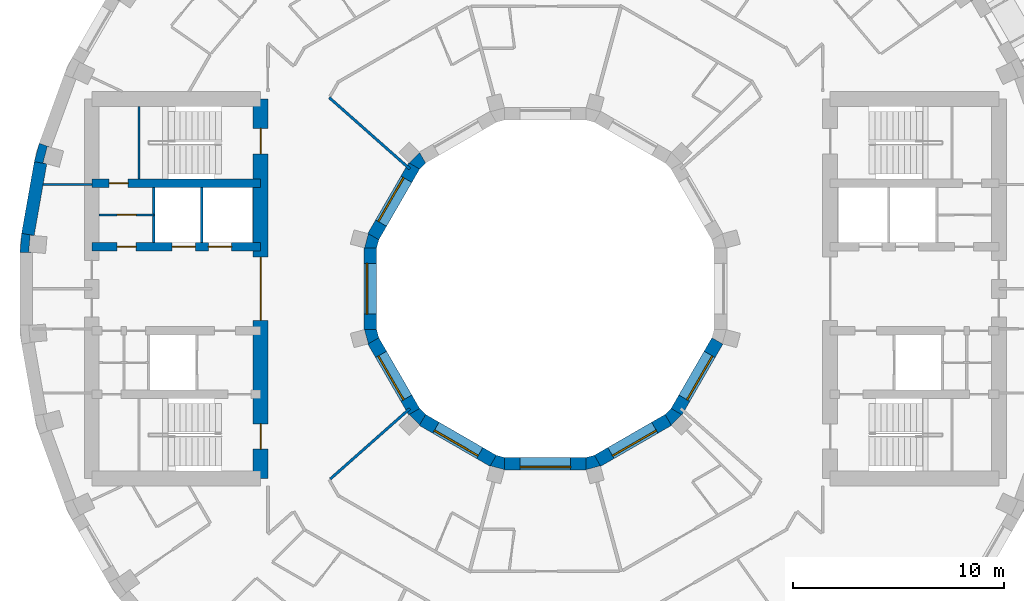
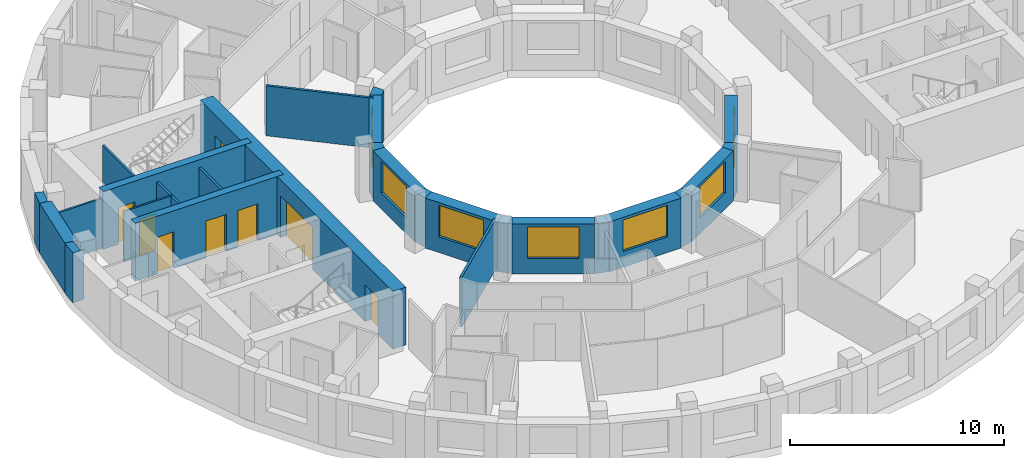
# One storey, part 4 of 11: 27 walls, 8 doors, 7 windows, 15 openings.
"""IFC4 building model written with IfcOpenShell, lengths in metres."""

from ifc_helpers import new_model, si_unit, direction, frame, frame_2d, origin, place, context, subcontext, project, spatial, polyline, rectangle, outline, extrude, material, layer, layer_set, type_object, element, fill, save


model = new_model("IFC4")

# Units and contexts
model_context = context("Model", 3, precision=1e-05, world=origin(), true_north=direction((0.0, 1.0)))
body_context = subcontext(model_context, "Body", "Model", "MODEL_VIEW")
ifc_project = project(units=[si_unit("LENGTHUNIT", "METRE"), si_unit("AREAUNIT", "SQUARE_METRE"), si_unit("VOLUMEUNIT", "CUBIC_METRE"), si_unit("PLANEANGLEUNIT", "RADIAN"), si_unit("MASSUNIT", "GRAM", prefix="KILO")], contexts=[model_context])

# Site, building, storey
site_placement = place(None, origin())
site = spatial("IfcSite", under=ifc_project, at=site_placement, CompositionType="ELEMENT")
building_placement = place(site_placement, origin())
building = spatial("IfcBuilding", under=site, at=building_placement, Name="Saqina Gate Tower", CompositionType="ELEMENT")
storey_placement = place(building_placement, frame((0.0, 0.0, 183.89990234375)))
storey = spatial("IfcBuildingStorey", under=building, at=storey_placement, Name="L52", CompositionType="ELEMENT", Elevation=183.89990234375)

# Walls
ifc_material_1 = material(Name="Brick masonry (buff)", Category="masonry")
wall_type_1 = type_object("IfcWallType", Name="BRICK PIER COPING BUFF", PredefinedType="SOLIDWALL", material=ifc_material_1)
wall_1_placement = place(storey_placement, origin())
element("IfcWall", 1, at=wall_1_placement, inside=storey, type_object=wall_type_1, Name="Pier cap L52 column 17", PredefinedType="SOLIDWALL", context=body_context, shape_type="SweptSolid", body=[
    extrude(outline(polyline([(-24.22705078125, 6.0234375), (-23.635986328125, 5.919189453125), (-23.81689453125, 5.967529296875), (-23.610107421875, 6.740478515625), (-23.428955078125, 6.69189453125), (-23.992919921875, 6.897216796875), (-24.22705078125, 6.0234375)])), origin(), (0.0, 0.0, 1.0), 2.85009765625),
])
wall_2_placement = place(storey_placement, origin())
element("IfcWall", 2, at=wall_2_placement, inside=storey, type_object=wall_type_1, Name="Pier cap L52 column 18", PredefinedType="SOLIDWALL", context=body_context, shape_type="SweptSolid", body=[
    extrude(outline(polyline([(-24.825927734375, 2.6259765625), (-24.90478515625, 1.724853515625), (-24.304931640625, 1.724853515625), (-24.491455078125, 1.7412109375), (-24.421630859375, 2.5380859375), (-24.235107421875, 2.521728515625), (-24.825927734375, 2.6259765625)])), origin(), (0.0, 0.0, 1.0), 2.85009765625),
])
ifc_material_2 = material(Name="Gypsum board on steel studs", Category="steel")
ifc_layer_1 = layer(ifc_material_2, 0.10009765625)
ifc_layer_set_1 = layer_set([ifc_layer_1], Name="CORE PARTITION")
wall_type_2 = type_object("IfcWallType", Name="CORE PARTITION", PredefinedType="PARTITIONING", material=ifc_layer_set_1)
wall_3_placement = place(storey_placement, frame((-21.5, 4.949951171875, 0.0), z_axis=(0.0, 0.0, 1.0), x_axis=(-1.0, 0.0, 0.0)))
element("IfcWall", 3, at=wall_3_placement, inside=storey, type_object=wall_type_2, Name="L52-CP-W01", PredefinedType="PARTITIONING", context=body_context, shape_type="SweptSolid", body=[
    extrude(rectangle(XDim=2.306884765625, YDim=0.10009765625, at=frame_2d((1.1533203125, 0.0))), origin(), (0.0, 0.0, 1.0), 2.85009765625),
])

# Wall, opening, door
wall_4_placement = place(storey_placement, frame((-18.56005859375, 3.5, 0.0), z_axis=(0.0, 0.0, 1.0), x_axis=(-1.0, 0.0, 0.0)))
wall_4 = element("IfcWall", 4, at=wall_4_placement, inside=storey, type_object=wall_type_2, Name="L52-CP-W10", PredefinedType="PARTITIONING", context=body_context, shape_type="SweptSolid", body=[
    extrude(rectangle(XDim=2.58984375, YDim=0.10009765625, at=frame_2d((1.294921875, 0.0))), origin(), (0.0, 0.0, 1.0), 2.85009765625),
])
opening_1_placement = place(wall_4_placement, frame((0.844970703125, 0.0, 0.0)))
opening_1 = element("IfcOpeningElement", 5, at=opening_1_placement, cuts=wall_4, Name="Opening G15-D113", PredefinedType="OPENING", context=body_context, shape_type="SweptSolid", body=[
    extrude(rectangle(XDim=0.89990234375, YDim=2.10009765625, at=frame_2d((0.449951171875, 1.050048828125))), frame((0.0, 0.06201171875, 0.0), z_axis=(0.0, -1.0, 0.0), x_axis=(1.0, 0.0, 0.0)), (0.0, 0.0, 1.0), 0.1240234375),
])
ifc_material_3 = material(Name="Steel-framed fire door leaf, EI 60", Category="steel")
door_type_1 = type_object("IfcDoorType", Name="SERVICE ROOM DOOR 900", OperationType="SINGLE_SWING_LEFT", PredefinedType="DOOR", material=ifc_material_3)
door_1_placement = place(opening_1_placement, frame((0.89990234375, 0.0, 0.0), z_axis=(0.0, 0.0, 1.0), x_axis=(-1.0, 0.0, 0.0)))
door_1 = element("IfcDoor", 6, at=door_1_placement, inside=storey, type_object=door_type_1, Name="L52-CD-W24", OperationType="SINGLE_SWING_LEFT", OverallHeight=2.10009765625, OverallWidth=0.89990234375, PredefinedType="DOOR", context=body_context, shape_type="SweptSolid", body=[
    extrude(rectangle(XDim=0.89990234375, YDim=2.10009765625, at=frame_2d((0.449951171875, 1.050048828125))), frame((0.0, 0.02490234375, 0.0), z_axis=(0.0, -1.0, 0.0), x_axis=(1.0, 0.0, 0.0)), (0.0, 0.0, 1.0), 0.050048828125),
])
fill(opening_1, door_1)

# Wall
ifc_material_4 = material(Name="Glazed ceramic tile", Category="ceramic")
ifc_layer_2 = layer(ifc_material_4, 0.60009765625)
ifc_layer_set_2 = layer_set([ifc_layer_2], Name="FW-TILE")
wall_type_3 = type_object("IfcWallType", Name="FW-TILE", PredefinedType="SOLIDWALL", material=ifc_layer_set_2)
wall_5_placement = place(storey_placement, frame((-23.931640625, 5.97119140625, 0.0), z_axis=(0.0, 0.0, 1.0), x_axis=(-0.173607684551, -0.984814892183, 0.0)))
element("IfcWall", 7, at=wall_5_placement, inside=storey, type_object=wall_type_3, Name="Facade wall L52 facet 17", PredefinedType="SOLIDWALL", context=body_context, shape_type="SweptSolid", body=[
    extrude(rectangle(XDim=3.44970703125, YDim=0.60009765625, at=frame_2d((1.724853515625, 0.0))), origin(), (0.0, 0.0, 1.0), 2.85009765625),
])

# Wall, opening, window
ifc_material_5 = material(Name="Glazed ceramic tile", Category="ceramic")
ifc_layer_3 = layer(ifc_material_5, 0.60009765625)
ifc_layer_set_3 = layer_set([ifc_layer_3], Name="IW-TILE")
wall_type_4 = type_object("IfcWallType", Name="IW-TILE", PredefinedType="SOLIDWALL", material=ifc_layer_set_3)
wall_6_placement = place(storey_placement, frame((-6.220458984375, 5.82568359375, 0.0), z_axis=(0.0, 0.0, 1.0), x_axis=(-0.500033728941, -0.866005929495, 0.0)))
wall_6 = element("IfcWall", 8, at=wall_6_placement, inside=storey, type_object=wall_type_4, Name="Well wall L52 facet 5", PredefinedType="SOLIDWALL", context=body_context, shape_type="SweptSolid", body=[
    extrude(rectangle(XDim=3.869873046875, YDim=0.60009765625, at=frame_2d((1.93505859375, 0.0))), origin(), (0.0, 0.0, 1.0), 2.85009765625),
])
opening_2_placement = place(wall_6_placement, frame((0.73486328125, 0.0, 0.89990234375)))
opening_2 = element("IfcOpeningElement", 9, at=opening_2_placement, cuts=wall_6, Name="Opening G15-W30", PredefinedType="OPENING", context=body_context, shape_type="SweptSolid", body=[
    extrude(rectangle(XDim=2.39990234375, YDim=1.800048828125, at=frame_2d((1.199951171875, 0.89990234375))), frame((0.0, 0.31201171875, 0.0), z_axis=(0.0, -1.0, 0.0), x_axis=(1.0, 0.0, 0.0)), (0.0, 0.0, 1.0), 0.6240234375),
])
ifc_material_6 = material(Name="Aluminium glazing", Category="aluminium")
window_type = type_object("IfcWindowType", Name="WN-W", PartitioningType="SINGLE_PANEL", PredefinedType="WINDOW", material=ifc_material_6)
window_1_placement = place(opening_2_placement, origin())
window_1 = element("IfcWindow", 10, at=window_1_placement, inside=storey, type_object=window_type, Name="Well window L52 facet 5", OverallHeight=1.800048828125, OverallWidth=2.39990234375, PartitioningType="SINGLE_PANEL", PredefinedType="WINDOW", context=body_context, shape_type="SweptSolid", body=[
    extrude(rectangle(XDim=2.39990234375, YDim=1.800048828125, at=frame_2d((1.199951171875, 0.89990234375))), frame((0.0, -0.119873046875, 0.0), z_axis=(0.0, -1.0, 0.0), x_axis=(1.0, 0.0, 0.0)), (0.0, 0.0, 1.0), 0.06005859375),
])
fill(opening_2, window_1)

wall_7_placement = place(storey_placement, frame((-8.300048828125, 1.934814453125, 0.0), z_axis=(0.0, 0.0, 1.0), x_axis=(0.0, -1.0, 0.0)))
wall_7 = element("IfcWall", 11, at=wall_7_placement, inside=storey, type_object=wall_type_4, Name="Well wall L52 facet 6", PredefinedType="SOLIDWALL", context=body_context, shape_type="SweptSolid", body=[
    extrude(rectangle(XDim=3.86962890625, YDim=0.60009765625, at=frame_2d((1.934814453125, 0.0))), origin(), (0.0, 0.0, 1.0), 2.85009765625),
])
opening_3_placement = place(wall_7_placement, frame((0.73486328125, 0.0, 0.89990234375)))
opening_3 = element("IfcOpeningElement", 12, at=opening_3_placement, cuts=wall_7, Name="Opening G15-W31", PredefinedType="OPENING", context=body_context, shape_type="SweptSolid", body=[
    extrude(rectangle(XDim=2.39990234375, YDim=1.800048828125, at=frame_2d((1.199951171875, 0.89990234375))), frame((0.0, 0.31201171875, 0.0), z_axis=(0.0, -1.0, 0.0), x_axis=(1.0, 0.0, 0.0)), (0.0, 0.0, 1.0), 0.6240234375),
])
window_2_placement = place(opening_3_placement, origin())
window_2 = element("IfcWindow", 13, at=window_2_placement, inside=storey, type_object=window_type, Name="Well window L52 facet 6", OverallHeight=1.800048828125, OverallWidth=2.39990234375, PartitioningType="SINGLE_PANEL", PredefinedType="WINDOW", context=body_context, shape_type="SweptSolid", body=[
    extrude(rectangle(XDim=2.39990234375, YDim=1.800048828125, at=frame_2d((1.199951171875, 0.89990234375))), frame((0.0, -0.119873046875, 0.0), z_axis=(0.0, -1.0, 0.0), x_axis=(1.0, 0.0, 0.0)), (0.0, 0.0, 1.0), 0.06005859375),
])
fill(opening_3, window_2)

wall_8_placement = place(storey_placement, frame((-8.155517578125, -2.474365234375, 0.0), z_axis=(0.0, 0.0, 1.0), x_axis=(0.500033728941, -0.866005929495, 0.0)))
wall_8 = element("IfcWall", 14, at=wall_8_placement, inside=storey, type_object=wall_type_4, Name="Well wall L52 facet 7", PredefinedType="SOLIDWALL", context=body_context, shape_type="SweptSolid", body=[
    extrude(rectangle(XDim=3.869873046875, YDim=0.60009765625, at=frame_2d((1.93505859375, 0.0))), origin(), (0.0, 0.0, 1.0), 2.85009765625),
])
opening_4_placement = place(wall_8_placement, frame((0.73486328125, 0.0, 0.89990234375)))
opening_4 = element("IfcOpeningElement", 15, at=opening_4_placement, cuts=wall_8, Name="Opening G15-W32", PredefinedType="OPENING", context=body_context, shape_type="SweptSolid", body=[
    extrude(rectangle(XDim=2.39990234375, YDim=1.800048828125, at=frame_2d((1.199951171875, 0.89990234375))), frame((0.0, 0.31201171875, 0.0), z_axis=(0.0, -1.0, 0.0), x_axis=(1.0, 0.0, 0.0)), (0.0, 0.0, 1.0), 0.6240234375),
])
window_3_placement = place(opening_4_placement, origin())
window_3 = element("IfcWindow", 16, at=window_3_placement, inside=storey, type_object=window_type, Name="Well window L52 facet 7", OverallHeight=1.800048828125, OverallWidth=2.39990234375, PartitioningType="SINGLE_PANEL", PredefinedType="WINDOW", context=body_context, shape_type="SweptSolid", body=[
    extrude(rectangle(XDim=2.39990234375, YDim=1.800048828125, at=frame_2d((1.199951171875, 0.89990234375))), frame((0.0, -0.119873046875, 0.0), z_axis=(0.0, -1.0, 0.0), x_axis=(1.0, 0.0, 0.0)), (0.0, 0.0, 1.0), 0.06005859375),
])
fill(opening_4, window_3)

wall_9_placement = place(storey_placement, frame((-5.82568359375, -6.220458984375, 0.0), z_axis=(0.0, 0.0, 1.0), x_axis=(0.866005929495, -0.500033728941, 0.0)))
wall_9 = element("IfcWall", 17, at=wall_9_placement, inside=storey, type_object=wall_type_4, Name="Well wall L52 facet 8", PredefinedType="SOLIDWALL", context=body_context, shape_type="SweptSolid", body=[
    extrude(rectangle(XDim=3.869873046875, YDim=0.60009765625, at=frame_2d((1.93505859375, 0.0))), origin(), (0.0, 0.0, 1.0), 2.85009765625),
])
opening_5_placement = place(wall_9_placement, frame((0.73486328125, 0.0, 0.89990234375)))
opening_5 = element("IfcOpeningElement", 18, at=opening_5_placement, cuts=wall_9, Name="Opening G15-W33", PredefinedType="OPENING", context=body_context, shape_type="SweptSolid", body=[
    extrude(rectangle(XDim=2.39990234375, YDim=1.800048828125, at=frame_2d((1.199951171875, 0.89990234375))), frame((0.0, 0.31201171875, 0.0), z_axis=(0.0, -1.0, 0.0), x_axis=(1.0, 0.0, 0.0)), (0.0, 0.0, 1.0), 0.6240234375),
])
window_4_placement = place(opening_5_placement, origin())
window_4 = element("IfcWindow", 19, at=window_4_placement, inside=storey, type_object=window_type, Name="Well window L52 facet 8", OverallHeight=1.800048828125, OverallWidth=2.39990234375, PartitioningType="SINGLE_PANEL", PredefinedType="WINDOW", context=body_context, shape_type="SweptSolid", body=[
    extrude(rectangle(XDim=2.39990234375, YDim=1.800048828125, at=frame_2d((1.199951171875, 0.89990234375))), frame((0.0, -0.119873046875, 0.0), z_axis=(0.0, -1.0, 0.0), x_axis=(1.0, 0.0, 0.0)), (0.0, 0.0, 1.0), 0.06005859375),
])
fill(opening_5, window_4)

wall_10_placement = place(storey_placement, frame((-1.934814453125, -8.300048828125, 0.0), z_axis=(0.0, 0.0, 1.0), x_axis=(1.0, 0.0, 0.0)))
wall_10 = element("IfcWall", 20, at=wall_10_placement, inside=storey, type_object=wall_type_4, Name="Well wall L52 facet 9", PredefinedType="SOLIDWALL", context=body_context, shape_type="SweptSolid", body=[
    extrude(rectangle(XDim=3.86962890625, YDim=0.60009765625, at=frame_2d((1.934814453125, 0.0))), origin(), (0.0, 0.0, 1.0), 2.85009765625),
])
opening_6_placement = place(wall_10_placement, frame((0.73486328125, 0.0, 0.89990234375)))
opening_6 = element("IfcOpeningElement", 21, at=opening_6_placement, cuts=wall_10, Name="Opening G15-W34", PredefinedType="OPENING", context=body_context, shape_type="SweptSolid", body=[
    extrude(rectangle(XDim=2.39990234375, YDim=1.800048828125, at=frame_2d((1.199951171875, 0.89990234375))), frame((0.0, 0.31201171875, 0.0), z_axis=(0.0, -1.0, 0.0), x_axis=(1.0, 0.0, 0.0)), (0.0, 0.0, 1.0), 0.6240234375),
])
window_5_placement = place(opening_6_placement, origin())
window_5 = element("IfcWindow", 22, at=window_5_placement, inside=storey, type_object=window_type, Name="Well window L52 facet 9", OverallHeight=1.800048828125, OverallWidth=2.39990234375, PartitioningType="SINGLE_PANEL", PredefinedType="WINDOW", context=body_context, shape_type="SweptSolid", body=[
    extrude(rectangle(XDim=2.39990234375, YDim=1.800048828125, at=frame_2d((1.199951171875, 0.89990234375))), frame((0.0, -0.119873046875, 0.0), z_axis=(0.0, -1.0, 0.0), x_axis=(1.0, 0.0, 0.0)), (0.0, 0.0, 1.0), 0.06005859375),
])
fill(opening_6, window_5)

wall_11_placement = place(storey_placement, frame((2.474365234375, -8.155517578125, 0.0), z_axis=(0.0, 0.0, 1.0), x_axis=(0.866005929495, 0.500033728941, 0.0)))
wall_11 = element("IfcWall", 23, at=wall_11_placement, inside=storey, type_object=wall_type_4, Name="Well wall L52 facet 10", PredefinedType="SOLIDWALL", context=body_context, shape_type="SweptSolid", body=[
    extrude(rectangle(XDim=3.869873046875, YDim=0.60009765625, at=frame_2d((1.93505859375, 0.0))), origin(), (0.0, 0.0, 1.0), 2.85009765625),
])
opening_7_placement = place(wall_11_placement, frame((0.73486328125, 0.0, 0.89990234375)))
opening_7 = element("IfcOpeningElement", 24, at=opening_7_placement, cuts=wall_11, Name="Opening G15-W35", PredefinedType="OPENING", context=body_context, shape_type="SweptSolid", body=[
    extrude(rectangle(XDim=2.39990234375, YDim=1.800048828125, at=frame_2d((1.199951171875, 0.89990234375))), frame((0.0, 0.31201171875, 0.0), z_axis=(0.0, -1.0, 0.0), x_axis=(1.0, 0.0, 0.0)), (0.0, 0.0, 1.0), 0.6240234375),
])
window_6_placement = place(opening_7_placement, origin())
window_6 = element("IfcWindow", 25, at=window_6_placement, inside=storey, type_object=window_type, Name="Well window L52 facet 10", OverallHeight=1.800048828125, OverallWidth=2.39990234375, PartitioningType="SINGLE_PANEL", PredefinedType="WINDOW", context=body_context, shape_type="SweptSolid", body=[
    extrude(rectangle(XDim=2.39990234375, YDim=1.800048828125, at=frame_2d((1.199951171875, 0.89990234375))), frame((0.0, -0.119873046875, 0.0), z_axis=(0.0, -1.0, 0.0), x_axis=(1.0, 0.0, 0.0)), (0.0, 0.0, 1.0), 0.06005859375),
])
fill(opening_7, window_6)

wall_12_placement = place(storey_placement, frame((6.220458984375, -5.82568359375, 0.0), z_axis=(0.0, 0.0, 1.0), x_axis=(0.500033728941, 0.866005929495, 0.0)))
wall_12 = element("IfcWall", 26, at=wall_12_placement, inside=storey, type_object=wall_type_4, Name="Well wall L52 facet 11", PredefinedType="SOLIDWALL", context=body_context, shape_type="SweptSolid", body=[
    extrude(rectangle(XDim=3.869873046875, YDim=0.60009765625, at=frame_2d((1.93505859375, 0.0))), origin(), (0.0, 0.0, 1.0), 2.85009765625),
])
opening_8_placement = place(wall_12_placement, frame((0.73486328125, 0.0, 0.89990234375)))
opening_8 = element("IfcOpeningElement", 27, at=opening_8_placement, cuts=wall_12, Name="Opening G15-W36", PredefinedType="OPENING", context=body_context, shape_type="SweptSolid", body=[
    extrude(rectangle(XDim=2.39990234375, YDim=1.800048828125, at=frame_2d((1.199951171875, 0.89990234375))), frame((0.0, 0.31201171875, 0.0), z_axis=(0.0, -1.0, 0.0), x_axis=(1.0, 0.0, 0.0)), (0.0, 0.0, 1.0), 0.6240234375),
])
window_7_placement = place(opening_8_placement, origin())
window_7 = element("IfcWindow", 28, at=window_7_placement, inside=storey, type_object=window_type, Name="Well window L52 facet 11", OverallHeight=1.800048828125, OverallWidth=2.39990234375, PartitioningType="SINGLE_PANEL", PredefinedType="WINDOW", context=body_context, shape_type="SweptSolid", body=[
    extrude(rectangle(XDim=2.39990234375, YDim=1.800048828125, at=frame_2d((1.199951171875, 0.89990234375))), frame((0.0, -0.119873046875, 0.0), z_axis=(0.0, -1.0, 0.0), x_axis=(1.0, 0.0, 0.0)), (0.0, 0.0, 1.0), 0.06005859375),
])
fill(opening_8, window_7)

# Walls
ifc_material_7 = material(Name="Gypsum board on steel studs, 125 mm, fire rated", Category="steel")
ifc_layer_4 = layer(ifc_material_7, 0.125)
ifc_layer_set_4 = layer_set([ifc_layer_4], Name="PARTITION EI 30 125")
wall_type_5 = type_object("IfcWallType", Name="PARTITION EI 30 125", PredefinedType="PARTITIONING", material=ifc_layer_set_4)
wall_13_placement = place(storey_placement, frame((-10.242919921875, 9.06005859375, 0.0), z_axis=(0.0, 0.0, 1.0), x_axis=(0.748988343692, -0.662583172903, 0.0)))
element("IfcWall", 29, at=wall_13_placement, inside=storey, type_object=wall_type_5, Name="PARTITION PW1-10", PredefinedType="PARTITIONING", context=body_context, shape_type="SweptSolid", body=[
    extrude(rectangle(XDim=5.10302734375, YDim=0.125, at=frame_2d((2.551513671875, 0.0))), origin(), (0.0, 0.0, 1.0), 2.85009765625),
])
wall_14_placement = place(storey_placement, frame((-10.1962890625, -9.0185546875, 0.0), z_axis=(0.0, 0.0, 1.0), x_axis=(0.74896790207, 0.662606279527, 0.0)))
element("IfcWall", 30, at=wall_14_placement, inside=storey, type_object=wall_type_5, Name="PARTITION PW1-31", PredefinedType="PARTITIONING", context=body_context, shape_type="SweptSolid", body=[
    extrude(rectangle(XDim=5.04052734375, YDim=0.125, at=frame_2d((2.520263671875, 0.0))), origin(), (0.0, 0.0, 1.0), 2.85009765625),
])
ifc_material_8 = material(Name="Autoclaved aerated concrete block", Category="concrete")
ifc_layer_5 = layer(ifc_material_8, 0.1201171875)
ifc_layer_set_5 = layer_set([ifc_layer_5], Name="SHAFT PARTITION")
wall_type_6 = type_object("IfcWallType", Name="SHAFT PARTITION", PredefinedType="PARTITIONING", material=ifc_layer_set_5)
for number, where, z_axis, x_axis, name in (
    (31, (-16.280029296875, 2.199951171875, 0.0), (0.0, 0.0, 1.0), (0.0, 1.0, 0.0), "L52-CP-W05"),
    (32, (-18.56005859375, 2.199951171875, 0.0), (0.0, 0.0, 1.0), (0.0, 1.0, 0.0), "L52-CP-W06"),
):
    element("IfcWall", number, at=place(storey_placement, frame(where, z_axis=z_axis, x_axis=x_axis)), inside=storey, type_object=wall_type_6, Name=name, PredefinedType="PARTITIONING", context=body_context, shape_type="SweptSolid", body=[
        extrude(rectangle(XDim=2.60009765625, YDim=0.1201171875, at=frame_2d((1.300048828125, 0.0))), origin(), (0.0, 0.0, 1.0), 2.85009765625),
    ])
ifc_material_9 = material(Name="Autoclaved aerated concrete block", Category="concrete")
ifc_layer_6 = layer(ifc_material_9, 0.10009765625)
ifc_layer_set_6 = layer_set([ifc_layer_6], Name="STAIR ENCLOSURE WALL")
wall_type_7 = type_object("IfcWallType", Name="STAIR ENCLOSURE WALL", PredefinedType="PARTITIONING", material=ifc_layer_set_6)
wall_15_placement = place(storey_placement, frame((-19.27001953125, 5.199951171875, 0.0), z_axis=(0.0, 0.0, 1.0), x_axis=(0.0, 1.0, 0.0)))
element("IfcWall", 33, at=wall_15_placement, inside=storey, type_object=wall_type_7, Name="L52-CP-W13", PredefinedType="PARTITIONING", context=body_context, shape_type="SweptSolid", body=[
    extrude(rectangle(XDim=3.449951171875, YDim=0.10009765625, at=frame_2d((1.72509765625, 0.0))), origin(), (0.0, 0.0, 1.0), 2.85009765625),
])

# Wall, opening, door
ifc_material_10 = material(Name="Concrete C60/75", Category="concrete")
ifc_layer_7 = layer(ifc_material_10, 0.39990234375)
ifc_layer_set_7 = layer_set([ifc_layer_7], Name="Concrete C60/75")
wall_type_8 = type_object("IfcWallType", Name="STR-CORE WALL-C-I", PredefinedType="SHEAR", material=ifc_layer_set_7)
wall_16_placement = place(storey_placement, frame((-13.5, 5.0, 0.0), z_axis=(0.0, 0.0, 1.0), x_axis=(-1.0, 0.0, 0.0)))
wall_16 = element("IfcWall", 34, at=wall_16_placement, inside=storey, type_object=wall_type_8, Name="CORE WALL L52 W-X1", PredefinedType="SHEAR", context=body_context, shape_type="SweptSolid", body=[
    extrude(rectangle(XDim=8.0, YDim=0.39990234375, at=frame_2d((4.0, 0.0))), origin(), (0.0, 0.0, 1.0), 3.300048828125),
])
opening_9_placement = place(wall_16_placement, frame((6.284912109375, 0.0, 0.0)))
opening_9 = element("IfcOpeningElement", 35, at=opening_9_placement, cuts=wall_16, Name="Opening G15-D114", PredefinedType="OPENING", context=body_context, shape_type="SweptSolid", body=[
    extrude(rectangle(XDim=0.89990234375, YDim=2.10009765625, at=frame_2d((0.449951171875, 1.050048828125))), frame((0.0, 0.2119140625, 0.0), z_axis=(0.0, -1.0, 0.0), x_axis=(1.0, 0.0, 0.0)), (0.0, 0.0, 1.0), 0.423828125),
])
door_2_placement = place(opening_9_placement, frame((0.89990234375, 0.0, 0.0), z_axis=(0.0, 0.0, 1.0), x_axis=(-1.0, 0.0, 0.0)))
door_2 = element("IfcDoor", 36, at=door_2_placement, inside=storey, type_object=door_type_1, Name="L52-CD-W25", OperationType="SINGLE_SWING_LEFT", OverallHeight=2.10009765625, OverallWidth=0.89990234375, PredefinedType="DOOR", context=body_context, shape_type="SweptSolid", body=[
    extrude(rectangle(XDim=0.89990234375, YDim=2.10009765625, at=frame_2d((0.449951171875, 1.050048828125))), frame((0.0, 0.02490234375, 0.0), z_axis=(0.0, -1.0, 0.0), x_axis=(1.0, 0.0, 0.0)), (0.0, 0.0, 1.0), 0.050048828125),
])
fill(opening_9, door_2)

# Wall, openings, doors
wall_17_placement = place(storey_placement, frame((-13.5, 2.0, 0.0), z_axis=(0.0, 0.0, 1.0), x_axis=(-1.0, 0.0, 0.0)))
wall_17 = element("IfcWall", 37, at=wall_17_placement, inside=storey, type_object=wall_type_8, Name="CORE WALL L52 W-L1", PredefinedType="SHEAR", context=body_context, shape_type="SweptSolid", body=[
    extrude(rectangle(XDim=8.0, YDim=0.39990234375, at=frame_2d((4.0, 0.0))), origin(), (0.0, 0.0, 1.0), 3.300048828125),
])
opening_10_placement = place(wall_17_placement, frame((1.3701171875, 0.0, 0.0)))
opening_10 = element("IfcOpeningElement", 38, at=opening_10_placement, cuts=wall_17, Name="Opening G15-LD4", PredefinedType="OPENING", context=body_context, shape_type="SweptSolid", body=[
    extrude(rectangle(XDim=1.10009765625, YDim=2.10009765625, at=frame_2d((0.550048828125, 1.050048828125))), frame((0.0, 0.2119140625, 0.0), z_axis=(0.0, -1.0, 0.0), x_axis=(1.0, 0.0, 0.0)), (0.0, 0.0, 1.0), 0.423828125),
])
opening_11_placement = place(wall_17_placement, frame((3.090087890625, 0.0, 0.0)))
opening_11 = element("IfcOpeningElement", 39, at=opening_11_placement, cuts=wall_17, Name="Opening G15-LD5", PredefinedType="OPENING", context=body_context, shape_type="SweptSolid", body=[
    extrude(rectangle(XDim=1.10009765625, YDim=2.10009765625, at=frame_2d((0.550048828125, 1.050048828125))), frame((0.0, 0.2119140625, 0.0), z_axis=(0.0, -1.0, 0.0), x_axis=(1.0, 0.0, 0.0)), (0.0, 0.0, 1.0), 0.423828125),
])
opening_12_placement = place(wall_17_placement, frame((5.905029296875, 0.0, 0.0)))
opening_12 = element("IfcOpeningElement", 40, at=opening_12_placement, cuts=wall_17, Name="Opening G15-D106", PredefinedType="OPENING", context=body_context, shape_type="SweptSolid", body=[
    extrude(rectangle(XDim=0.89990234375, YDim=2.10009765625, at=frame_2d((0.449951171875, 1.050048828125))), frame((0.0, 0.2119140625, 0.0), z_axis=(0.0, -1.0, 0.0), x_axis=(1.0, 0.0, 0.0)), (0.0, 0.0, 1.0), 0.423828125),
])
ifc_material_11 = material(Name="Stainless steel", Category="steel")
door_type_2 = type_object("IfcDoorType", Name="LANDING DOOR", OperationType="DOUBLE_DOOR_SLIDING", PredefinedType="DOOR", material=ifc_material_11)
door_3_placement = place(opening_10_placement, origin())
door_3 = element("IfcDoor", 41, at=door_3_placement, inside=storey, type_object=door_type_2, Name="LANDING DOOR HR3", OperationType="DOUBLE_DOOR_SLIDING", OverallHeight=2.10009765625, OverallWidth=1.10009765625, PredefinedType="DOOR", context=body_context, shape_type="SweptSolid", body=[
    extrude(rectangle(XDim=1.10009765625, YDim=2.10009765625, at=frame_2d((0.550048828125, 1.050048828125))), frame((0.0, 0.02490234375, 0.0), z_axis=(0.0, -1.0, 0.0), x_axis=(1.0, 0.0, 0.0)), (0.0, 0.0, 1.0), 0.050048828125),
])
fill(opening_10, door_3)
door_4_placement = place(opening_11_placement, origin())
door_4 = element("IfcDoor", 42, at=door_4_placement, inside=storey, type_object=door_type_2, Name="LANDING DOOR HR4", OperationType="DOUBLE_DOOR_SLIDING", OverallHeight=2.10009765625, OverallWidth=1.10009765625, PredefinedType="DOOR", context=body_context, shape_type="SweptSolid", body=[
    extrude(rectangle(XDim=1.10009765625, YDim=2.10009765625, at=frame_2d((0.550048828125, 1.050048828125))), frame((0.0, 0.02490234375, 0.0), z_axis=(0.0, -1.0, 0.0), x_axis=(1.0, 0.0, 0.0)), (0.0, 0.0, 1.0), 0.050048828125),
])
fill(opening_11, door_4)
door_5_placement = place(opening_12_placement, frame((0.89990234375, 0.0, 0.0), z_axis=(0.0, 0.0, 1.0), x_axis=(-1.0, 0.0, 0.0)))
door_5 = element("IfcDoor", 43, at=door_5_placement, inside=storey, type_object=door_type_1, Name="L52-CD-W17", OperationType="SINGLE_SWING_LEFT", OverallHeight=2.10009765625, OverallWidth=0.89990234375, PredefinedType="DOOR", context=body_context, shape_type="SweptSolid", body=[
    extrude(rectangle(XDim=0.89990234375, YDim=2.10009765625, at=frame_2d((0.449951171875, 1.050048828125))), frame((0.0, 0.02490234375, 0.0), z_axis=(0.0, -1.0, 0.0), x_axis=(1.0, 0.0, 0.0)), (0.0, 0.0, 1.0), 0.050048828125),
])
fill(opening_12, door_5)

ifc_material_12 = material(Name="Concrete C60/75", Category="concrete")
ifc_layer_8 = layer(ifc_material_12, 0.699951171875)
ifc_layer_set_8 = layer_set([ifc_layer_8], Name="Concrete C60/75")
wall_type_9 = type_object("IfcWallType", Name="STR-CORE WALL-C-O", PredefinedType="SHEAR", material=ifc_layer_set_8)
wall_18_placement = place(storey_placement, frame((-13.5, -9.0, 0.0), z_axis=(0.0, 0.0, 1.0), x_axis=(0.0, 1.0, 0.0)))
wall_18 = element("IfcWall", 44, at=wall_18_placement, inside=storey, type_object=wall_type_9, Name="CORE WALL L52 W-W1", PredefinedType="SHEAR", context=body_context, shape_type="SweptSolid", body=[
    extrude(rectangle(XDim=18.0, YDim=0.699951171875, at=frame_2d((9.0, 0.0))), origin(), (0.0, 0.0, 1.0), 3.300048828125),
])
opening_13_placement = place(wall_18_placement, frame((15.39990234375, 0.0, 0.0)))
opening_13 = element("IfcOpeningElement", 45, at=opening_13_placement, cuts=wall_18, Name="Opening G15-D119", PredefinedType="OPENING", context=body_context, shape_type="SweptSolid", body=[
    extrude(rectangle(XDim=1.199951171875, YDim=2.10009765625, at=frame_2d((0.60009765625, 1.050048828125))), frame((0.0, 0.362060546875, 0.0), z_axis=(0.0, -1.0, 0.0), x_axis=(1.0, 0.0, 0.0)), (0.0, 0.0, 1.0), 0.723876953125),
])
opening_14_placement = place(wall_18_placement, frame((1.39990234375, 0.0, 0.0)))
opening_14 = element("IfcOpeningElement", 46, at=opening_14_placement, cuts=wall_18, Name="Opening G15-D120", PredefinedType="OPENING", context=body_context, shape_type="SweptSolid", body=[
    extrude(rectangle(XDim=1.199951171875, YDim=2.10009765625, at=frame_2d((0.60009765625, 1.050048828125))), frame((0.0, 0.362060546875, 0.0), z_axis=(0.0, -1.0, 0.0), x_axis=(1.0, 0.0, 0.0)), (0.0, 0.0, 1.0), 0.723876953125),
])
opening_15_placement = place(wall_18_placement, frame((7.5, 0.0, 0.0)))
opening_15 = element("IfcOpeningElement", 47, at=opening_15_placement, cuts=wall_18, Name="Opening G15-D121", PredefinedType="OPENING", context=body_context, shape_type="SweptSolid", body=[
    extrude(rectangle(XDim=3.0, YDim=2.39990234375, at=frame_2d((1.5, 1.199951171875))), frame((0.0, 0.362060546875, 0.0), z_axis=(0.0, -1.0, 0.0), x_axis=(1.0, 0.0, 0.0)), (0.0, 0.0, 1.0), 0.723876953125),
])
ifc_material_13 = material(Name="Steel", Category="steel")
door_type_3 = type_object("IfcDoorType", Name="FIRE DOOR EI 60", OperationType="SINGLE_SWING_LEFT", PredefinedType="DOOR", material=ifc_material_13)
door_6_placement = place(opening_13_placement, origin())
door_6 = element("IfcDoor", 48, at=door_6_placement, inside=storey, type_object=door_type_3, Name="L52-CD-W30", OperationType="SINGLE_SWING_RIGHT", OverallHeight=2.10009765625, OverallWidth=1.199951171875, PredefinedType="DOOR", context=body_context, shape_type="SweptSolid", body=[
    extrude(rectangle(XDim=1.199951171875, YDim=2.10009765625, at=frame_2d((0.60009765625, 1.050048828125))), frame((0.0, 0.02490234375, 0.0), z_axis=(0.0, -1.0, 0.0), x_axis=(1.0, 0.0, 0.0)), (0.0, 0.0, 1.0), 0.050048828125),
])
fill(opening_13, door_6)
door_7_placement = place(opening_14_placement, origin())
door_7 = element("IfcDoor", 49, at=door_7_placement, inside=storey, type_object=door_type_3, Name="L52-CD-W31", OperationType="SINGLE_SWING_LEFT", OverallHeight=2.10009765625, OverallWidth=1.199951171875, PredefinedType="DOOR", context=body_context, shape_type="SweptSolid", body=[
    extrude(rectangle(XDim=1.199951171875, YDim=2.10009765625, at=frame_2d((0.60009765625, 1.050048828125))), frame((0.0, 0.02490234375, 0.0), z_axis=(0.0, -1.0, 0.0), x_axis=(1.0, 0.0, 0.0)), (0.0, 0.0, 1.0), 0.050048828125),
])
fill(opening_14, door_7)
ifc_material_14 = material(Name="Steel and fire-resisting glass", Category="steel")
door_type_4 = type_object("IfcDoorType", Name="LOBBY SCREEN DOOR", OperationType="DOUBLE_DOOR_SLIDING", PredefinedType="DOOR", material=ifc_material_14)
door_8_placement = place(opening_15_placement, origin())
door_8 = element("IfcDoor", 50, at=door_8_placement, inside=storey, type_object=door_type_4, Name="L52-CD-W32", OperationType="DOUBLE_DOOR_SLIDING", OverallHeight=2.39990234375, OverallWidth=3.0, PredefinedType="DOOR", context=body_context, shape_type="SweptSolid", body=[
    extrude(rectangle(XDim=3.0, YDim=2.39990234375, at=frame_2d((1.5, 1.199951171875))), frame((0.0, 0.02490234375, 0.0), z_axis=(0.0, -1.0, 0.0), x_axis=(1.0, 0.0, 0.0)), (0.0, 0.0, 1.0), 0.050048828125),
])
fill(opening_15, door_8)

# Walls
ifc_material_15 = material(Name="Glazed ceramic tile", Category="ceramic")
wall_type_10 = type_object("IfcWallType", Name="TILE PIER COPING", PredefinedType="SOLIDWALL", material=ifc_material_15)
wall_19_placement = place(storey_placement, origin())
element("IfcWall", 51, at=wall_19_placement, inside=storey, type_object=wall_type_10, Name="Well pier cap L52 column 5", PredefinedType="SOLIDWALL", context=body_context, shape_type="SweptSolid", body=[
    extrude(outline(polyline([(-6.45751953125, 5.96240234375), (-5.960693359375, 5.67578125), (-5.67578125, 5.960693359375), (-5.96240234375, 6.45751953125), (-6.45751953125, 5.96240234375)])), origin(), (0.0, 0.0, 1.0), 2.85009765625),
])
wall_20_placement = place(storey_placement, origin())
element("IfcWall", 52, at=wall_20_placement, inside=storey, type_object=wall_type_10, Name="Well pier cap L52 column 6", PredefinedType="SOLIDWALL", context=body_context, shape_type="SweptSolid", body=[
    extrude(outline(polyline([(-8.573486328125, 1.934814453125), (-8.0, 1.934814453125), (-7.895751953125, 2.32421875), (-8.392333984375, 2.611083984375), (-8.573486328125, 1.934814453125)])), origin(), (0.0, 0.0, 1.0), 2.85009765625),
])
wall_21_placement = place(storey_placement, origin())
element("IfcWall", 53, at=wall_21_placement, inside=storey, type_object=wall_type_10, Name="Well pier cap L52 column 7", PredefinedType="SOLIDWALL", context=body_context, shape_type="SweptSolid", body=[
    extrude(outline(polyline([(-8.0, -1.934814453125), (-8.573486328125, -1.934814453125), (-8.392333984375, -2.611083984375), (-7.895751953125, -2.32421875), (-8.0, -1.934814453125)])), origin(), (0.0, 0.0, 1.0), 2.85009765625),
])
wall_22_placement = place(storey_placement, origin())
element("IfcWall", 54, at=wall_22_placement, inside=storey, type_object=wall_type_10, Name="Well pier cap L52 column 8", PredefinedType="SOLIDWALL", context=body_context, shape_type="SweptSolid", body=[
    extrude(outline(polyline([(-6.45751953125, -5.96240234375), (-5.96240234375, -6.45751953125), (-5.67578125, -5.960693359375), (-5.960693359375, -5.67578125), (-6.45751953125, -5.96240234375)])), origin(), (0.0, 0.0, 1.0), 2.85009765625),
])
wall_23_placement = place(storey_placement, origin())
element("IfcWall", 55, at=wall_23_placement, inside=storey, type_object=wall_type_10, Name="Well pier cap L52 column 9", PredefinedType="SOLIDWALL", context=body_context, shape_type="SweptSolid", body=[
    extrude(outline(polyline([(-1.934814453125, -8.573486328125), (-1.934814453125, -8.0), (-2.32421875, -7.895751953125), (-2.611083984375, -8.392333984375), (-1.934814453125, -8.573486328125)])), origin(), (0.0, 0.0, 1.0), 2.85009765625),
])
wall_24_placement = place(storey_placement, origin())
element("IfcWall", 56, at=wall_24_placement, inside=storey, type_object=wall_type_10, Name="Well pier cap L52 column 10", PredefinedType="SOLIDWALL", context=body_context, shape_type="SweptSolid", body=[
    extrude(outline(polyline([(2.611083984375, -8.392333984375), (2.32421875, -7.895751953125), (1.934814453125, -8.0), (1.934814453125, -8.573486328125), (2.611083984375, -8.392333984375)])), origin(), (0.0, 0.0, 1.0), 2.85009765625),
])
wall_25_placement = place(storey_placement, origin())
element("IfcWall", 57, at=wall_25_placement, inside=storey, type_object=wall_type_10, Name="Well pier cap L52 column 11", PredefinedType="SOLIDWALL", context=body_context, shape_type="SweptSolid", body=[
    extrude(outline(polyline([(5.96240234375, -6.45751953125), (6.45751953125, -5.96240234375), (5.960693359375, -5.67578125), (5.67578125, -5.960693359375), (5.96240234375, -6.45751953125)])), origin(), (0.0, 0.0, 1.0), 2.85009765625),
])

save(model, "model.ifc")
